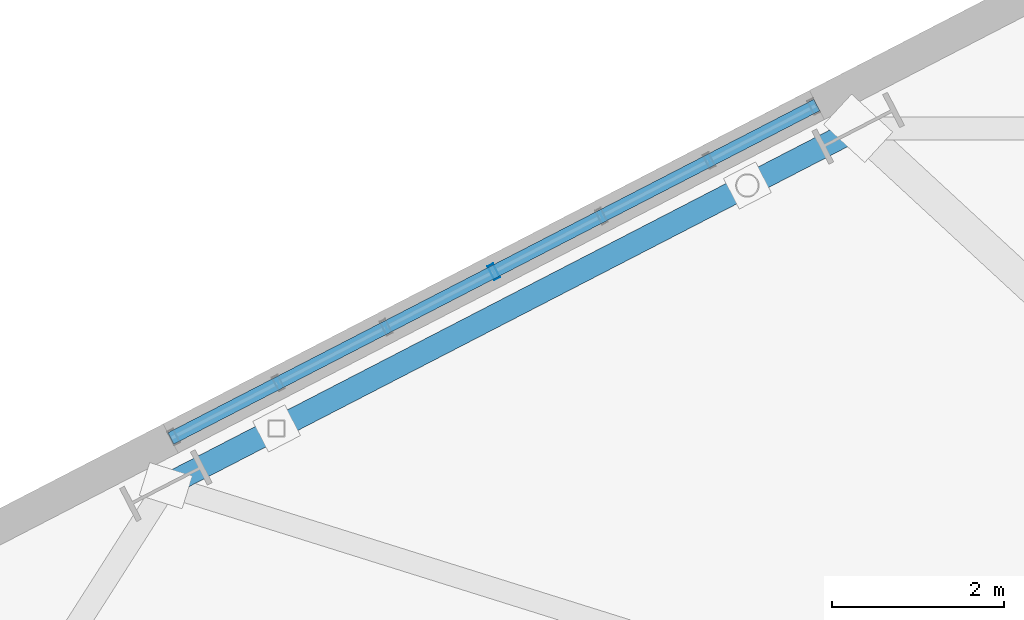
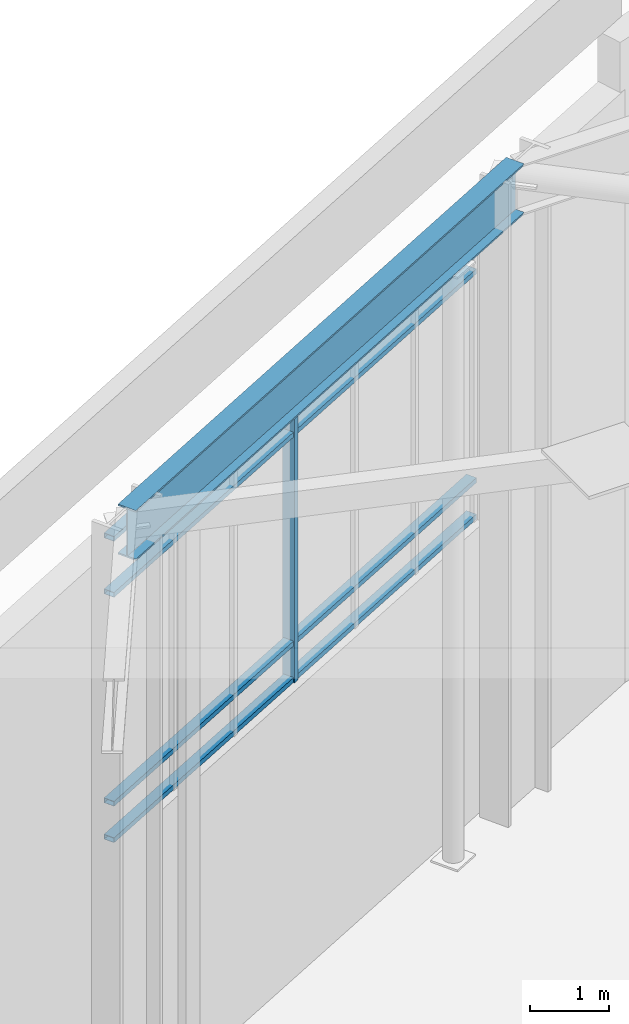
# One storey, part 12 of 23: 5 members, 1 beam, 1 element without a shape of its own.
"""IFC4 building model written with IfcOpenShell, lengths in metres."""

from ifc_helpers import new_model, si_unit, direction, frame, origin, origin_2d, place, context, subcontext, project, spatial, hollow_rectangle, i_section, extrude, material, layer, layer_set, material_profile, profile_set, type_object, element, aggregate, save


model = new_model("IFC4")

# Units and contexts
model_context = context("Model", 3, precision=1e-05, world=origin(), true_north=direction((0.0, 1.0)))
body_context = subcontext(model_context, "Body", "Model", "MODEL_VIEW")
ifc_project = project(units=[si_unit("LENGTHUNIT", "METRE"), si_unit("AREAUNIT", "SQUARE_METRE"), si_unit("VOLUMEUNIT", "CUBIC_METRE"), si_unit("PLANEANGLEUNIT", "RADIAN"), si_unit("MASSUNIT", "GRAM", prefix="KILO"), si_unit("THERMODYNAMICTEMPERATUREUNIT", "KELVIN"), si_unit("POWERUNIT", "WATT")], contexts=[model_context])

# Site, building, storey
site_placement = place(None, origin())
site = spatial("IfcSite", under=ifc_project, at=site_placement, CompositionType="ELEMENT")
building_placement = place(site_placement, origin())
building = spatial("IfcBuilding", under=site, at=building_placement, Name="Skarre Station Tower", CompositionType="ELEMENT")
storey_placement = place(building_placement, frame((0.0, 0.0, 291.300048828125)))
storey = spatial("IfcBuildingStorey", under=building, at=storey_placement, Name="RF", CompositionType="ELEMENT", Elevation=291.300048828125)

# Curtain wall, members
ifc_material_1 = material(Name="Thermally Broken Bronze-Anodized Aluminium & Triple Low-E Glass", Category="aluminium")
ifc_layer = layer(ifc_material_1, 0.179931640625, Name="Thermally Broken Bronze-Anodized Aluminium & Triple Low-E Glass")
ifc_layer_set = layer_set([ifc_layer], Name="Thermally Broken Bronze-Anodized Aluminium & Triple Low-E Glass")
curtain_wall_type = type_object("IfcCurtainWallType", Name="Nordic Bronze Crown Lantern Stick Curtain Wall", PredefinedType="NOTDEFINED", material=ifc_layer_set)
curtain_wall_placement = place(storey_placement, origin())
curtain_wall = element("IfcCurtainWall", 1, at=curtain_wall_placement, inside=storey, type_object=curtain_wall_type, Name="RF Crown Lantern Facet 1 Curtain Wall", PredefinedType="NOTDEFINED")
ifc_material_2 = material(Name="Anodized Aluminium 6063-T6", Category="aluminium")
ifc_material_profile_1 = material_profile(ifc_material_2, hollow_rectangle(XDim=0.074951171875, YDim=0.14990234375, WallThickness=0.00390625, at=origin_2d()), Name="Anodized Aluminium 6063-T6")
ifc_profile_set_1 = profile_set([ifc_material_profile_1], Name="Anodized Aluminium 6063-T6")
member_type_1 = type_object("IfcMemberType", Name="Curtain-Wall Secondary Transom 150x75", PredefinedType="USERDEFINED", material=ifc_profile_set_1)
member_1_placement = place(storey_placement, frame((20.529052734375, 35.844970703125, 4.43994140625), z_axis=(0.888640424469, 0.458604618381, 0.0), x_axis=(0.0, 0.0, 1.0)))
member_1 = element("IfcMember", 2, at=member_1_placement, type_object=member_type_1, Name="RF Crown Lantern Facet 1 Curtain Wall Transom 1", ObjectType="TRANSOM", PredefinedType="USERDEFINED", context=body_context, shape_type="SweptSolid", body=[
    extrude(hollow_rectangle(XDim=0.074951171875, YDim=0.14990234375, WallThickness=0.00390625, at=origin_2d()), origin(), (0.0, 0.0, 1.0), 8.443115234375),
])
member_2_placement = place(storey_placement, frame((20.529052734375, 35.844970703125, 5.0), z_axis=(0.888640424469, 0.458604618381, 0.0), x_axis=(0.0, 0.0, 1.0)))
member_2 = element("IfcMember", 3, at=member_2_placement, type_object=member_type_1, Name="RF Crown Lantern Facet 1 Curtain Wall Transom 2", ObjectType="TRANSOM", PredefinedType="USERDEFINED", context=body_context, shape_type="SweptSolid", body=[
    extrude(hollow_rectangle(XDim=0.074951171875, YDim=0.14990234375, WallThickness=0.00390625, at=origin_2d()), origin(), (0.0, 0.0, 1.0), 8.443115234375),
])
member_3_placement = place(storey_placement, frame((20.529052734375, 35.844970703125, 8.2099609375), z_axis=(0.888640424469, 0.458604618381, 0.0), x_axis=(0.0, 0.0, 1.0)))
member_3 = element("IfcMember", 4, at=member_3_placement, type_object=member_type_1, Name="RF Crown Lantern Facet 1 Curtain Wall Transom 3", ObjectType="TRANSOM", PredefinedType="USERDEFINED", context=body_context, shape_type="SweptSolid", body=[
    extrude(hollow_rectangle(XDim=0.074951171875, YDim=0.14990234375, WallThickness=0.00390625, at=origin_2d()), origin(), (0.0, 0.0, 1.0), 8.443115234375),
])
member_4_placement = place(storey_placement, frame((20.529052734375, 35.844970703125, 9.070068359375), z_axis=(0.888640424469, 0.458604618381, 0.0), x_axis=(0.0, 0.0, 1.0)))
member_4 = element("IfcMember", 5, at=member_4_placement, type_object=member_type_1, Name="RF Crown Lantern Facet 1 Curtain Wall Transom 4", ObjectType="TRANSOM", PredefinedType="USERDEFINED", context=body_context, shape_type="SweptSolid", body=[
    extrude(hollow_rectangle(XDim=0.074951171875, YDim=0.14990234375, WallThickness=0.00390625, at=origin_2d()), origin(), (0.0, 0.0, 1.0), 8.443115234375),
])
ifc_material_profile_2 = material_profile(ifc_material_2, hollow_rectangle(XDim=0.074951171875, YDim=0.179931640625, WallThickness=0.00390625, at=origin_2d()), Name="Anodized Aluminium 6063-T6")
ifc_profile_set_2 = profile_set([ifc_material_profile_2], Name="Anodized Aluminium 6063-T6")
member_type_2 = type_object("IfcMemberType", Name="Curtain-Wall Unitised Tower Mullion 180x75", PredefinedType="MULLION", material=ifc_profile_set_2)
member_5_placement = place(storey_placement, frame((24.280029296875, 37.781005859375, 4.39990234375), z_axis=(0.0, 0.0, 1.0), x_axis=(0.888649250269, 0.458587516181, 0.0)))
member_5 = element("IfcMember", 6, at=member_5_placement, type_object=member_type_2, Name="RF Crown Lantern Facet 1 Curtain Wall Mullion 4", PredefinedType="MULLION", context=body_context, shape_type="SweptSolid", body=[
    extrude(hollow_rectangle(XDim=0.074951171875, YDim=0.179931640625, WallThickness=0.00390625, at=origin_2d()), origin(), (0.0, 0.0, 1.0), 4.7099609375),
])
aggregate(curtain_wall, [member_5, member_1, member_2, member_3, member_4])

# Beam
ifc_material_3 = material(Name="Steel ASTM A992 Grade 50", Category="steel")
ifc_material_profile_3 = material_profile(ifc_material_3, i_section(OverallWidth=0.26806640625, OverallDepth=0.77001953125, WebThickness=0.01611328125, FlangeThickness=0.02490234375, at=origin_2d()), Name="Steel ASTM A992 Grade 50")
ifc_profile_set_3 = profile_set([ifc_material_profile_3], Name="Steel ASTM A992 Grade 50")
beam_type = type_object("IfcBeamType", Name="Steel Beam W30X132", PredefinedType="BEAM", material=ifc_profile_set_3)
beam_placement = place(storey_placement, frame((28.510986328125, 39.447021484375, 9.494873046875), z_axis=(-0.888610011727, -0.458663544505, 0.0), x_axis=(0.458663544505, -0.888610011727, 0.0)))
element("IfcBeam", 7, at=beam_placement, inside=storey, type_object=beam_type, Name="RF Crown Lantern Cap Ring Beam 3", PredefinedType="BEAM", context=body_context, shape_type="SweptSolid", body=[
    extrude(i_section(OverallWidth=0.26806640625, OverallDepth=0.77001953125, WebThickness=0.01611328125, FlangeThickness=0.02490234375, at=origin_2d()), origin(), (0.0, 0.0, 1.0), 9.045654296875),
])

save(model, "model.ifc")
